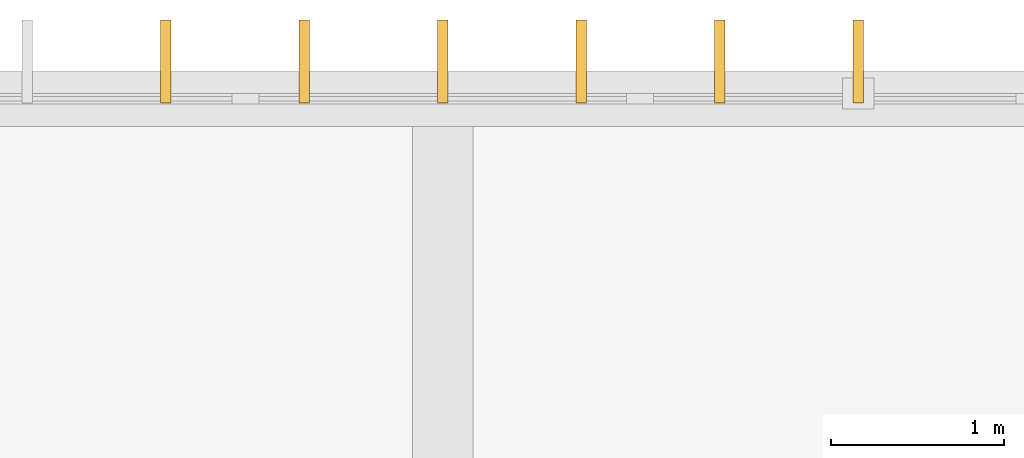
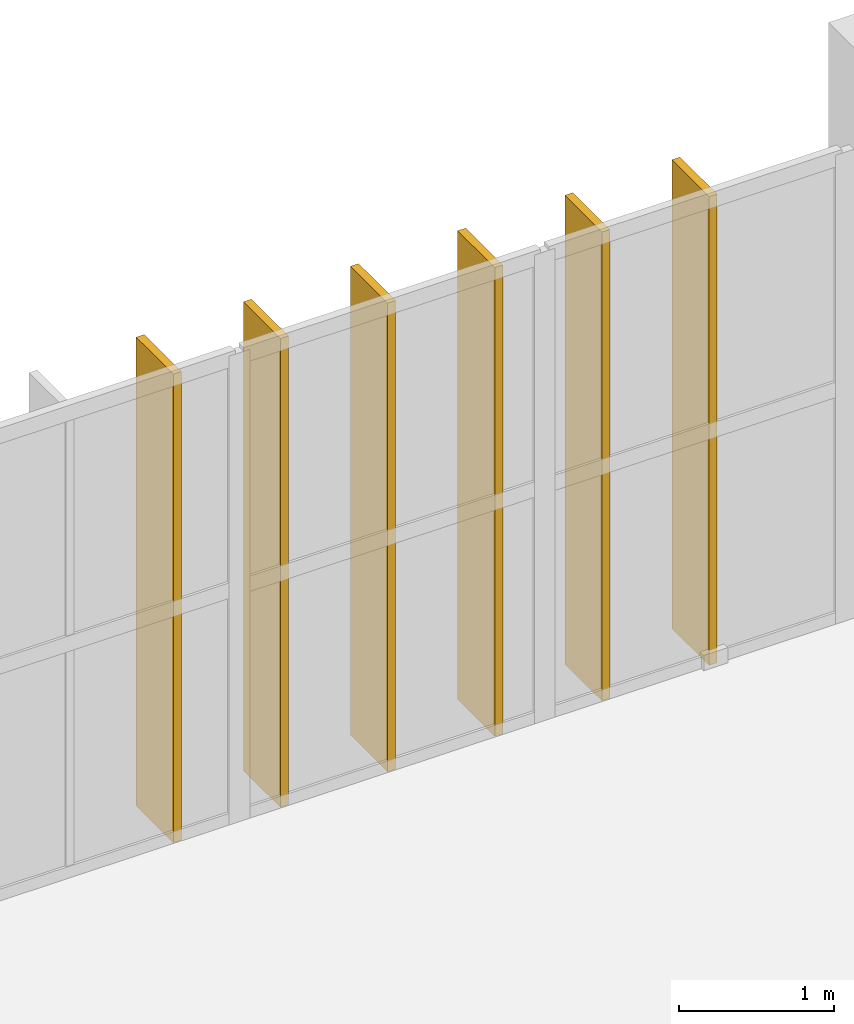
# One storey, part 81 of 81: 6 shading devices.
"""IFC4 building model written with IfcOpenShell, lengths in metres."""

from ifc_helpers import new_model, si_unit, direction, frame, origin, origin_2d, place, context, subcontext, project, spatial, rectangle, extrude, material, material_profile, profile_set, type_object, element, save


model = new_model("IFC4")

# Units and contexts
model_context = context("Model", 3, precision=1e-05, world=origin(), true_north=direction((0.0, 1.0)))
body_context = subcontext(model_context, "Body", "Model", "MODEL_VIEW")
ifc_project = project(units=[si_unit("LENGTHUNIT", "METRE"), si_unit("AREAUNIT", "SQUARE_METRE"), si_unit("VOLUMEUNIT", "CUBIC_METRE"), si_unit("PLANEANGLEUNIT", "RADIAN"), si_unit("MASSUNIT", "GRAM", prefix="KILO")], contexts=[model_context])

# Site, building, storey
site_placement = place(None, origin())
site = spatial("IfcSite", under=ifc_project, at=site_placement, CompositionType="ELEMENT")
building_placement = place(site_placement, origin())
building = spatial("IfcBuilding", under=site, at=building_placement, Name="Vourika Railside Aquatics Centre", CompositionType="ELEMENT")
storey_placement = place(building_placement, frame((0.0, 0.0, 4.800048828125)))
storey = spatial("IfcBuildingStorey", under=building, at=storey_placement, Name="L01", CompositionType="ELEMENT", Elevation=4.800048828125)

# Shading devices
ifc_material = material(Name="Bronze-anodized extruded aluminium", Category="aluminium")
ifc_material_profile = material_profile(ifc_material, rectangle(XDim=0.06005859375, YDim=0.47998046875, at=origin_2d()), Name="ALU-FIN 60x480")
ifc_profile_set = profile_set([ifc_material_profile], Name="Bronze-anodized extruded aluminium")
shading_device_type = type_object("IfcShadingDeviceType", Name="SHD-FIN-F48A", PredefinedType="USERDEFINED", material=ifc_profile_set)
for number, where, z_axis, x_axis, name in (
    (1, (128.14990234375, 116.215087890625, 0.0), (0.0, 0.0, 1.0), (1.0, 0.0, 0.0), "Vertical Solar Fin VSF-0776"),
    (2, (128.949951171875, 116.215087890625, 0.0), (0.0, 0.0, 1.0), (1.0, 0.0, 0.0), "Vertical Solar Fin VSF-0777"),
    (3, (129.75, 116.215087890625, 0.0), (0.0, 0.0, 1.0), (1.0, 0.0, 0.0), "Vertical Solar Fin VSF-0778"),
    (4, (130.550048828125, 116.215087890625, 0.0), (0.0, 0.0, 1.0), (1.0, 0.0, 0.0), "Vertical Solar Fin VSF-0779"),
    (5, (131.35009765625, 116.215087890625, 0.0), (0.0, 0.0, 1.0), (1.0, 0.0, 0.0), "Vertical Solar Fin VSF-0780"),
    (6, (132.14990234375, 116.215087890625, 0.0), (0.0, 0.0, 1.0), (1.0, 0.0, 0.0), "Vertical Solar Fin VSF-0781"),
):
    element("IfcShadingDevice", number, at=place(storey_placement, frame(where, z_axis=z_axis, x_axis=x_axis)), inside=storey, type_object=shading_device_type, Name=name, ObjectType="FIN", PredefinedType="USERDEFINED", context=body_context, shape_type="SweptSolid", body=[
        extrude(rectangle(XDim=0.06005859375, YDim=0.47998046875, at=origin_2d()), origin(), (0.0, 0.0, 1.0), 3.699951171875),
    ])

save(model, "model.ifc")
